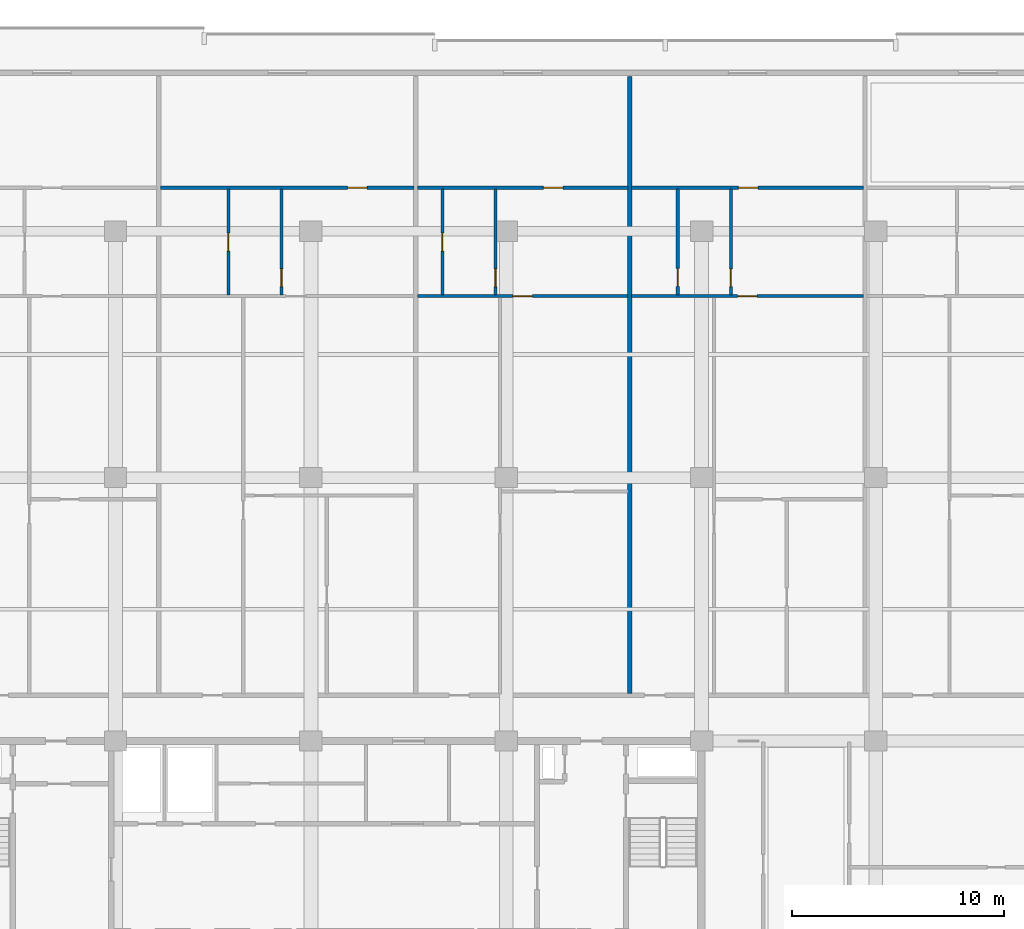
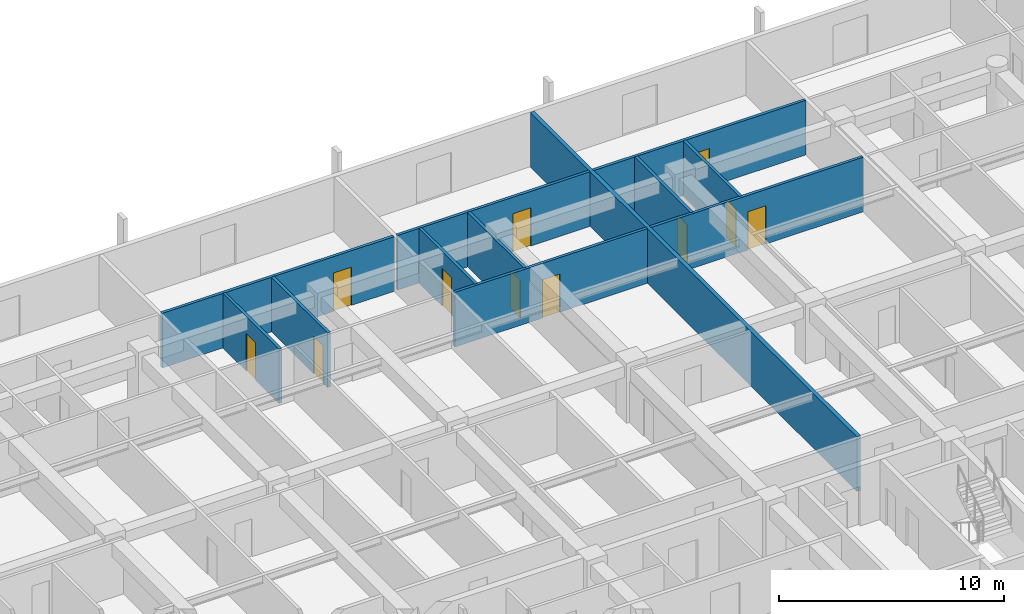
# One storey, part 15 of 24: 12 walls, 11 doors, 11 openings.
"""IFC4 building model written with IfcOpenShell, lengths in metres."""

import ifcopenshell
import ifcopenshell.guid

model = None  # the IFC model being written
_history = None  # IfcOwnerHistory: only IFC2X3 demands one
_inside = {}  # id of a spatial element -> (the spatial element, [elements in it])
_under = {}  # id of a project, library or spatial element -> (it, [spatial elements below it])
_declared = {}  # id of a project -> (the project, [libraries it declares])
_typed = {}  # id of a type object -> (the type object, [elements of that type])
_made_of = {}  # id of a material, layer set ... -> (it, [elements and type objects made of it])


def new_model(schema):
    """Start an empty IFC model of exactly this schema.

    Asked for "IFC4X3", IfcOpenShell would pick the latest addendum, in which some entities
    have other attributes; the version numbers below select the first issue.
    IFC2X3 requires an IfcOwnerHistory on every rooted entity: one is made here for all.
    """
    global model, _history
    if schema == "IFC4X3":
        model = ifcopenshell.file(schema_version=(4, 3, 0, 0))
    else:
        model = ifcopenshell.file(schema=schema)
    _inside.clear()
    _under.clear()
    _declared.clear()
    _typed.clear()
    _made_of.clear()
    _history = None
    if model.schema == "IFC2X3":
        org = make("IfcOrganization", Name="unknown")
        user = make(
            "IfcPersonAndOrganization",
            ThePerson=make("IfcPerson", FamilyName="unknown"),
            TheOrganization=org,
        )
        app = make(
            "IfcApplication",
            ApplicationDeveloper=org,
            Version="unknown",
            ApplicationFullName="unknown",
            ApplicationIdentifier="unknown",
        )
        _history = make(
            "IfcOwnerHistory",
            OwningUser=user,
            OwningApplication=app,
            ChangeAction="ADDED",
            CreationDate=0,
        )
    return model


def make(cls, **values):
    """One entity of the class cls with the attributes given. An attribute that is None is left unset."""
    return model.create_entity(
        cls, **{name: value for name, value in values.items() if value is not None}
    )


def rooted(cls, **values):
    """An entity with a GlobalId (a new one), such as an element, a storey or a relation."""
    return make(cls, GlobalId=ifcopenshell.guid.new(), OwnerHistory=_history, **values)


def si_unit(unit_type, name, prefix=None):
    """IfcSIUnit, for example si_unit("LENGTHUNIT", "METRE", prefix="MILLI")."""
    return make("IfcSIUnit", UnitType=unit_type, Prefix=prefix, Name=name)


def assignment(units):
    """IfcUnitAssignment: the units of a project."""
    return None if units is None else make("IfcUnitAssignment", Units=units)


def point(xyz):
    """IfcCartesianPoint."""
    return None if xyz is None else make("IfcCartesianPoint", Coordinates=xyz)


def direction(xyz):
    """IfcDirection."""
    return None if xyz is None else make("IfcDirection", DirectionRatios=xyz)


def frame(location, z_axis=None, x_axis=None):
    """IfcAxis2Placement3D, a coordinate frame: its origin and axes. An axis left out is left unset."""
    return make(
        "IfcAxis2Placement3D",
        Location=point(location),
        Axis=direction(z_axis),
        RefDirection=direction(x_axis),
    )


def frame_2d(location, x_axis=None):
    """IfcAxis2Placement2D, a coordinate frame in the plane: its origin and x axis."""
    return make(
        "IfcAxis2Placement2D", Location=point(location), RefDirection=direction(x_axis)
    )


def origin():
    """The frame at (0, 0, 0) with its axes left unset."""
    return frame((0.0, 0.0, 0.0))


def place(relative_to, where):
    """IfcLocalPlacement: puts the frame where relative to a parent placement (None: the world)."""
    return make(
        "IfcLocalPlacement", PlacementRelTo=relative_to, RelativePlacement=where
    )


def context(
    kind, dimensions, precision=None, world=None, true_north=None, identifier=None
):
    """IfcGeometricRepresentationContext, for example the 3D "Model" context."""
    return make(
        "IfcGeometricRepresentationContext",
        ContextIdentifier=identifier,
        ContextType=kind,
        CoordinateSpaceDimension=dimensions,
        Precision=precision,
        WorldCoordinateSystem=world,
        TrueNorth=true_north,
    )


def subcontext(parent, identifier, kind, view, scale=None):
    """IfcGeometricRepresentationSubContext, for example "Body" below "Model"."""
    return make(
        "IfcGeometricRepresentationSubContext",
        ContextIdentifier=identifier,
        ContextType=kind,
        ParentContext=parent,
        TargetScale=scale,
        TargetView=view,
    )


def project(units=None, contexts=None):
    """IfcProject with its units and contexts."""
    return rooted(
        "IfcProject",
        Name="project",
        RepresentationContexts=contexts,
        UnitsInContext=assignment(units),
    )


def spatial(cls, under=None, at=None, **own):
    """A site, building, storey or space (cls), placed at a placement, below another one or the project."""
    s = rooted(cls, ObjectPlacement=at, **own)
    if under is not None:
        _under.setdefault(under.id(), (under, []))[1].append(s)
    return s


def profile(cls, at=None, kind="AREA", **sizes):
    """A parametric profile (cls). Its sizes go by their IFC names, for example OverallWidth=200.0."""
    return make(cls, ProfileType=kind, Position=at, **sizes)


def rectangle(**sizes):
    """IfcRectangleProfileDef."""
    return profile("IfcRectangleProfileDef", **sizes)


def extrude(swept, where, along, depth):
    """IfcExtrudedAreaSolid: the profile swept, set in the frame where, extruded along a direction by depth."""
    return make(
        "IfcExtrudedAreaSolid",
        SweptArea=swept,
        Position=where,
        ExtrudedDirection=direction(along),
        Depth=depth,
    )


def shape(context_of_items, identifier, shape_type, items):
    """IfcShapeRepresentation: the items that make up one representation, for example the "Body"."""
    return make(
        "IfcShapeRepresentation",
        ContextOfItems=context_of_items,
        RepresentationIdentifier=identifier,
        RepresentationType=shape_type,
        Items=items,
    )


def material(Name=None, Category=None):
    """IfcMaterial."""
    return make("IfcMaterial", Name=Name, Category=Category)


def layer(
    of_material, thickness, ventilated=None, Name=None, Category=None, Priority=None
):
    """IfcMaterialLayer: one layer of a wall or slab, of a material (None: an air gap)."""
    return make(
        "IfcMaterialLayer",
        Material=of_material,
        LayerThickness=thickness,
        IsVentilated=ventilated,
        Name=Name,
        Category=Category,
        Priority=Priority,
    )


def layer_set(layers, Name=None):
    """IfcMaterialLayerSet."""
    return make("IfcMaterialLayerSet", MaterialLayers=layers, LayerSetName=Name)


def made_of(thing, what):
    """Note that an element or type object is made of a material, layer set ...; save() writes the relation."""
    if what is not None:
        _made_of.setdefault(what.id(), (what, []))[1].append(thing)
    return thing


def type_object(cls, material=None, **own):
    """A type object (cls), such as IfcWallType, which elements share."""
    return made_of(rooted(cls, **own), material)


def element(
    cls,
    number,
    at=None,
    inside=None,
    cuts=None,
    type_object=None,
    material=None,
    context=None,
    identifier="Body",
    shape_type=None,
    held_by="IfcProductDefinitionShape",
    body=None,
    shapes=None,
    **own,
):
    """One element of the class cls, such as IfcWall. Its Tag is "e" and its number.

    at: its placement. inside: the storey or other place that contains it. cuts: it is an
    opening in that element (IfcRelVoidsElement). A single representation is given by context,
    identifier, shape_type and body (its items); several are given by shapes. held_by: the class
    of the entity that holds the representations. save() writes the other relations.
    """
    e = rooted(cls, Tag="e%d" % number, ObjectPlacement=at, **own)
    if body is not None:
        shapes = [shape(context, identifier, shape_type, body)]
    if shapes is not None:
        e.Representation = make(held_by, Representations=shapes)
    if inside is not None:
        _inside.setdefault(inside.id(), (inside, []))[1].append(e)
    if cuts is not None:
        rooted(
            "IfcRelVoidsElement", RelatingBuildingElement=cuts, RelatedOpeningElement=e
        )
    if type_object is not None:
        _typed.setdefault(type_object.id(), (type_object, []))[1].append(e)
    return made_of(e, material)


def fill(opening, filler):
    """IfcRelFillsElement: the door or window that sits in an opening."""
    return rooted(
        "IfcRelFillsElement",
        RelatingOpeningElement=opening,
        RelatedBuildingElement=filler,
    )


def aggregate(whole, parts):
    """IfcRelAggregates: a whole, such as a stair, and the parts it consists of."""
    return rooted("IfcRelAggregates", RelatingObject=whole, RelatedObjects=parts)


def save(model, path):
    """Write the relations noted so far, then the file.

    IfcRelAggregates (storeys below a building ...), IfcRelContainedInSpatialStructure (elements
    in a storey), IfcRelDefinesByType, IfcRelAssociatesMaterial and IfcRelDeclares: one each for
    every whole, place, type object, material and project.
    """
    for whole, parts in _under.values():
        aggregate(whole, parts)
    for where, things in _inside.values():
        rooted(
            "IfcRelContainedInSpatialStructure",
            RelatedElements=things,
            RelatingStructure=where,
        )
    for kind, things in _typed.values():
        rooted("IfcRelDefinesByType", RelatedObjects=things, RelatingType=kind)
    for what, things in _made_of.values():
        rooted("IfcRelAssociatesMaterial", RelatedObjects=things, RelatingMaterial=what)
    for by, libraries in _declared.values():
        rooted("IfcRelDeclares", RelatingContext=by, RelatedDefinitions=libraries)
    model.write(path)


model = new_model("IFC4")

# Units and contexts
model_context = context("Model", 3, precision=1e-05, world=origin(), true_north=direction((0.0, 1.0)))
body_context = subcontext(model_context, "Body", "Model", "MODEL_VIEW")
ifc_project = project(units=[si_unit("LENGTHUNIT", "METRE"), si_unit("AREAUNIT", "SQUARE_METRE"), si_unit("VOLUMEUNIT", "CUBIC_METRE"), si_unit("PLANEANGLEUNIT", "RADIAN"), si_unit("MASSUNIT", "GRAM", prefix="KILO")], contexts=[model_context])

# Site, building, storey
site_placement = place(None, origin())
site = spatial("IfcSite", under=ifc_project, at=site_placement, CompositionType="ELEMENT")
building_placement = place(site_placement, origin())
building = spatial("IfcBuilding", under=site, at=building_placement, Name="Korimba Cascade Residences", CompositionType="ELEMENT")
storey_placement = place(building_placement, frame((0.0, 0.0, 24.0)))
storey = spatial("IfcBuildingStorey", under=building, at=storey_placement, Name="L05", CompositionType="ELEMENT", Elevation=24.0)

# Wall
ifc_material_1 = material(Name="Precast concrete C40/50", Category="concrete")
ifc_layer_1 = layer(ifc_material_1, 0.199951171875)
ifc_layer_set_1 = layer_set([ifc_layer_1], Name="Precast concrete C40/50")
wall_type_1 = type_object("IfcWallType", Name="WAL-IT-200", PredefinedType="PARTITIONING", material=ifc_layer_set_1)
wall_1_placement = place(storey_placement, frame((108.712890625, 69.429931640625, 0.0), z_axis=(0.0, 0.0, 1.0), x_axis=(0.0, 1.0, 0.0)))
element("IfcWall", 1, at=wall_1_placement, inside=storey, type_object=wall_type_1, Name="L05 Partition Wall WAL-L05-T1-DEM-5", PredefinedType="PARTITIONING", context=body_context, shape_type="SweptSolid", body=[
    extrude(rectangle(XDim=29.070068359375, YDim=0.199951171875, at=frame_2d((14.53515625, 0.0))), origin(), (0.0, 0.0, 1.0), 2.969970703125),
])

# Wall, opening, door
ifc_material_2 = material(Name="Insulated Acoustic Stud Partition", Category="gypsum")
ifc_layer_2 = layer(ifc_material_2, 0.14990234375)
ifc_layer_set_2 = layer_set([ifc_layer_2], Name="Insulated Acoustic Stud Partition")
wall_type_2 = type_object("IfcWallType", Name="WAL-PART-150", PredefinedType="PARTITIONING", material=ifc_layer_set_2)
wall_2_placement = place(storey_placement, frame((89.81494140625, 88.18994140625, 0.0), z_axis=(0.0, 0.0, 1.0), x_axis=(0.0, 1.0, 0.0)))
wall_2 = element("IfcWall", 2, at=wall_2_placement, inside=storey, type_object=wall_type_2, Name="L05 Partition Wall WAL-L05-T1-U04-CLS", PredefinedType="PARTITIONING", context=body_context, shape_type="SweptSolid", body=[
    extrude(rectangle(XDim=5.0, YDim=0.14990234375, at=frame_2d((2.5, 0.0))), origin(), (0.0, 0.0, 1.0), 2.969970703125),
])
opening_1_placement = place(wall_2_placement, frame((2.080078125, 0.0, 0.0)))
opening_1 = element("IfcOpeningElement", 3, at=opening_1_placement, cuts=wall_2, Name="Opening D-BT1", PredefinedType="OPENING", context=body_context, shape_type="SweptSolid", body=[
    extrude(rectangle(XDim=0.840087890625, YDim=2.0400390625, at=frame_2d((0.419921875, 1.02001953125))), frame((0.0, 0.0849609375, 0.0), z_axis=(0.0, -1.0, 0.0), x_axis=(1.0, 0.0, 0.0)), (0.0, 0.0, 1.0), 0.169921875),
])
ifc_material_3 = material(Name="Moisture-Resistant Bathroom Timber Door", Category="wood")
door_type_1 = type_object("IfcDoorType", Name="DR-INT-850", OperationType="NOTDEFINED", PredefinedType="DOOR", material=ifc_material_3)
door_1_placement = place(opening_1_placement, origin())
door_1 = element("IfcDoor", 4, at=door_1_placement, inside=storey, type_object=door_type_1, Name="L05-T1-U04 Closet Door", OperationType="SINGLE_SWING_LEFT", OverallHeight=2.0400390625, OverallWidth=0.840087890625, PredefinedType="DOOR", context=body_context, shape_type="SweptSolid", body=[
    extrude(rectangle(XDim=0.840087890625, YDim=2.0400390625, at=frame_2d((0.419921875, 1.02001953125))), frame((0.0, 0.02490234375, 0.0), z_axis=(0.0, -1.0, 0.0), x_axis=(1.0, 0.0, 0.0)), (0.0, 0.0, 1.0), 0.050048828125),
])
fill(opening_1, door_1)

wall_3_placement = place(storey_placement, frame((92.31494140625, 88.18994140625, 0.0), z_axis=(0.0, 0.0, 1.0), x_axis=(0.0, 1.0, 0.0)))
wall_3 = element("IfcWall", 5, at=wall_3_placement, inside=storey, type_object=wall_type_2, Name="L05 Partition Wall WAL-L05-T1-U04-BM", PredefinedType="PARTITIONING", context=body_context, shape_type="SweptSolid", body=[
    extrude(rectangle(XDim=5.0, YDim=0.14990234375, at=frame_2d((2.5, 0.0))), origin(), (0.0, 0.0, 1.0), 2.969970703125),
])
opening_2_placement = place(wall_3_placement, frame((0.39990234375, 0.0, 0.0)))
opening_2 = element("IfcOpeningElement", 6, at=opening_2_placement, cuts=wall_3, Name="Opening D-BT1", PredefinedType="OPENING", context=body_context, shape_type="SweptSolid", body=[
    extrude(rectangle(XDim=0.840087890625, YDim=2.0400390625, at=frame_2d((0.419921875, 1.02001953125))), frame((0.0, 0.0849609375, 0.0), z_axis=(0.0, -1.0, 0.0), x_axis=(1.0, 0.0, 0.0)), (0.0, 0.0, 1.0), 0.169921875),
])
door_2_placement = place(opening_2_placement, origin())
door_2 = element("IfcDoor", 7, at=door_2_placement, inside=storey, type_object=door_type_1, Name="L05-T1-U04 Bathroom Door", OperationType="SINGLE_SWING_RIGHT", OverallHeight=2.0400390625, OverallWidth=0.840087890625, PredefinedType="DOOR", context=body_context, shape_type="SweptSolid", body=[
    extrude(rectangle(XDim=0.840087890625, YDim=2.0400390625, at=frame_2d((0.419921875, 1.02001953125))), frame((0.0, 0.02490234375, 0.0), z_axis=(0.0, -1.0, 0.0), x_axis=(1.0, 0.0, 0.0)), (0.0, 0.0, 1.0), 0.050048828125),
])
fill(opening_2, door_2)

wall_4_placement = place(storey_placement, frame((86.62158203125, 93.25, 0.0), z_axis=(0.0, 0.0, 1.0), x_axis=(1.0, 0.0, 0.0)))
wall_4 = element("IfcWall", 8, at=wall_4_placement, inside=storey, type_object=wall_type_2, Name="L05 Partition Wall WAL-L05-T1-U04-HZ", PredefinedType="PARTITIONING", context=body_context, shape_type="SweptSolid", body=[
    extrude(rectangle(XDim=11.933349609375, YDim=0.14990234375, at=frame_2d((5.966796875, 0.0))), origin(), (0.0, 0.0, 1.0), 2.969970703125),
])
opening_3_placement = place(wall_4_placement, frame((8.8115234375, 0.0, 0.0)))
opening_3 = element("IfcOpeningElement", 9, at=opening_3_placement, cuts=wall_4, Name="Opening D-IN1", PredefinedType="OPENING", context=body_context, shape_type="SweptSolid", body=[
    extrude(rectangle(XDim=0.919921875, YDim=2.080078125, at=frame_2d((0.4599609375, 1.0400390625))), frame((0.0, 0.0849609375, 0.0), z_axis=(0.0, -1.0, 0.0), x_axis=(1.0, 0.0, 0.0)), (0.0, 0.0, 1.0), 0.169921875),
])
ifc_material_4 = material(Name="Acoustic Timber Living Door", Category="wood")
door_type_2 = type_object("IfcDoorType", Name="DR-INT-920", OperationType="NOTDEFINED", PredefinedType="DOOR", material=ifc_material_4)
door_3_placement = place(opening_3_placement, origin())
door_3 = element("IfcDoor", 10, at=door_3_placement, inside=storey, type_object=door_type_2, Name="L05-T1-U04 Studio Door", OperationType="SINGLE_SWING_RIGHT", OverallHeight=2.080078125, OverallWidth=0.919921875, PredefinedType="DOOR", context=body_context, shape_type="SweptSolid", body=[
    extrude(rectangle(XDim=0.919921875, YDim=2.080078125, at=frame_2d((0.4599609375, 1.0400390625))), frame((0.0, 0.02490234375, 0.0), z_axis=(0.0, -1.0, 0.0), x_axis=(1.0, 0.0, 0.0)), (0.0, 0.0, 1.0), 0.050048828125),
])
fill(opening_3, door_3)

wall_5_placement = place(storey_placement, frame((99.892822265625, 88.18994140625, 0.0), z_axis=(0.0, 0.0, 1.0), x_axis=(0.0, 1.0, 0.0)))
wall_5 = element("IfcWall", 11, at=wall_5_placement, inside=storey, type_object=wall_type_2, Name="L05 Partition Wall WAL-L05-T1-U05-CLS", PredefinedType="PARTITIONING", context=body_context, shape_type="SweptSolid", body=[
    extrude(rectangle(XDim=5.0, YDim=0.14990234375, at=frame_2d((2.5, 0.0))), origin(), (0.0, 0.0, 1.0), 2.969970703125),
])
opening_4_placement = place(wall_5_placement, frame((2.080078125, 0.0, 0.0)))
opening_4 = element("IfcOpeningElement", 12, at=opening_4_placement, cuts=wall_5, Name="Opening D-BT1", PredefinedType="OPENING", context=body_context, shape_type="SweptSolid", body=[
    extrude(rectangle(XDim=0.840087890625, YDim=2.0400390625, at=frame_2d((0.419921875, 1.02001953125))), frame((0.0, 0.0849609375, 0.0), z_axis=(0.0, -1.0, 0.0), x_axis=(1.0, 0.0, 0.0)), (0.0, 0.0, 1.0), 0.169921875),
])
door_4_placement = place(opening_4_placement, origin())
door_4 = element("IfcDoor", 13, at=door_4_placement, inside=storey, type_object=door_type_1, Name="L05-T1-U05 Closet Door", OperationType="SINGLE_SWING_LEFT", OverallHeight=2.0400390625, OverallWidth=0.840087890625, PredefinedType="DOOR", context=body_context, shape_type="SweptSolid", body=[
    extrude(rectangle(XDim=0.840087890625, YDim=2.0400390625, at=frame_2d((0.419921875, 1.02001953125))), frame((0.0, 0.02490234375, 0.0), z_axis=(0.0, -1.0, 0.0), x_axis=(1.0, 0.0, 0.0)), (0.0, 0.0, 1.0), 0.050048828125),
])
fill(opening_4, door_4)

wall_6_placement = place(storey_placement, frame((102.392822265625, 88.18994140625, 0.0), z_axis=(0.0, 0.0, 1.0), x_axis=(0.0, 1.0, 0.0)))
wall_6 = element("IfcWall", 14, at=wall_6_placement, inside=storey, type_object=wall_type_2, Name="L05 Partition Wall WAL-L05-T1-U05-BM", PredefinedType="PARTITIONING", context=body_context, shape_type="SweptSolid", body=[
    extrude(rectangle(XDim=5.0, YDim=0.14990234375, at=frame_2d((2.5, 0.0))), origin(), (0.0, 0.0, 1.0), 2.969970703125),
])
opening_5_placement = place(wall_6_placement, frame((0.39990234375, 0.0, 0.0)))
opening_5 = element("IfcOpeningElement", 15, at=opening_5_placement, cuts=wall_6, Name="Opening D-BT1", PredefinedType="OPENING", context=body_context, shape_type="SweptSolid", body=[
    extrude(rectangle(XDim=0.840087890625, YDim=2.0400390625, at=frame_2d((0.419921875, 1.02001953125))), frame((0.0, 0.0849609375, 0.0), z_axis=(0.0, -1.0, 0.0), x_axis=(1.0, 0.0, 0.0)), (0.0, 0.0, 1.0), 0.169921875),
])
door_5_placement = place(opening_5_placement, origin())
door_5 = element("IfcDoor", 16, at=door_5_placement, inside=storey, type_object=door_type_1, Name="L05-T1-U05 Bathroom Door", OperationType="SINGLE_SWING_RIGHT", OverallHeight=2.0400390625, OverallWidth=0.840087890625, PredefinedType="DOOR", context=body_context, shape_type="SweptSolid", body=[
    extrude(rectangle(XDim=0.840087890625, YDim=2.0400390625, at=frame_2d((0.419921875, 1.02001953125))), frame((0.0, 0.02490234375, 0.0), z_axis=(0.0, -1.0, 0.0), x_axis=(1.0, 0.0, 0.0)), (0.0, 0.0, 1.0), 0.050048828125),
])
fill(opening_5, door_5)

wall_7_placement = place(storey_placement, frame((98.715087890625, 88.14990234375, 0.0), z_axis=(0.0, 0.0, 1.0), x_axis=(1.0, 0.0, 0.0)))
wall_7 = element("IfcWall", 17, at=wall_7_placement, inside=storey, type_object=wall_type_2, Name="L05 Partition Wall WAL-L05-T1-U05-MW", PredefinedType="PARTITIONING", context=body_context, shape_type="SweptSolid", body=[
    extrude(rectangle(XDim=9.917724609375, YDim=0.14990234375, at=frame_2d((4.958984375, 0.0))), origin(), (0.0, 0.0, 1.0), 2.969970703125),
])
opening_6_placement = place(wall_7_placement, frame((4.4990234375, 0.0, 0.0)))
opening_6 = element("IfcOpeningElement", 18, at=opening_6_placement, cuts=wall_7, Name="Opening D-IN1", PredefinedType="OPENING", context=body_context, shape_type="SweptSolid", body=[
    extrude(rectangle(XDim=0.919921875, YDim=2.080078125, at=frame_2d((0.4599609375, 1.0400390625))), frame((0.0, 0.0849609375, 0.0), z_axis=(0.0, -1.0, 0.0), x_axis=(1.0, 0.0, 0.0)), (0.0, 0.0, 1.0), 0.169921875),
])
door_6_placement = place(opening_6_placement, origin())
door_6 = element("IfcDoor", 19, at=door_6_placement, inside=storey, type_object=door_type_2, Name="L05-T1-U05 Studio Kitchen Door", OperationType="SINGLE_SWING_LEFT", OverallHeight=2.080078125, OverallWidth=0.919921875, PredefinedType="DOOR", context=body_context, shape_type="SweptSolid", body=[
    extrude(rectangle(XDim=0.919921875, YDim=2.080078125, at=frame_2d((0.4599609375, 1.0400390625))), frame((0.0, 0.02490234375, 0.0), z_axis=(0.0, -1.0, 0.0), x_axis=(1.0, 0.0, 0.0)), (0.0, 0.0, 1.0), 0.050048828125),
])
fill(opening_6, door_6)

wall_8_placement = place(storey_placement, frame((98.715087890625, 93.25, 0.0), z_axis=(0.0, 0.0, 1.0), x_axis=(1.0, 0.0, 0.0)))
wall_8 = element("IfcWall", 20, at=wall_8_placement, inside=storey, type_object=wall_type_2, Name="L05 Partition Wall WAL-L05-T1-U05-HZ", PredefinedType="PARTITIONING", context=body_context, shape_type="SweptSolid", body=[
    extrude(rectangle(XDim=9.917724609375, YDim=0.14990234375, at=frame_2d((4.958984375, 0.0))), origin(), (0.0, 0.0, 1.0), 2.969970703125),
])
opening_7_placement = place(wall_8_placement, frame((5.935546875, 0.0, 0.0)))
opening_7 = element("IfcOpeningElement", 21, at=opening_7_placement, cuts=wall_8, Name="Opening D-IN1", PredefinedType="OPENING", context=body_context, shape_type="SweptSolid", body=[
    extrude(rectangle(XDim=0.919921875, YDim=2.080078125, at=frame_2d((0.4599609375, 1.0400390625))), frame((0.0, 0.0849609375, 0.0), z_axis=(0.0, -1.0, 0.0), x_axis=(1.0, 0.0, 0.0)), (0.0, 0.0, 1.0), 0.169921875),
])
door_7_placement = place(opening_7_placement, origin())
door_7 = element("IfcDoor", 22, at=door_7_placement, inside=storey, type_object=door_type_2, Name="L05-T1-U05 Studio Door", OperationType="SINGLE_SWING_RIGHT", OverallHeight=2.080078125, OverallWidth=0.919921875, PredefinedType="DOOR", context=body_context, shape_type="SweptSolid", body=[
    extrude(rectangle(XDim=0.919921875, YDim=2.080078125, at=frame_2d((0.4599609375, 1.0400390625))), frame((0.0, 0.02490234375, 0.0), z_axis=(0.0, -1.0, 0.0), x_axis=(1.0, 0.0, 0.0)), (0.0, 0.0, 1.0), 0.050048828125),
])
fill(opening_7, door_7)

wall_9_placement = place(storey_placement, frame((110.978515625, 88.18994140625, 0.0), z_axis=(0.0, 0.0, 1.0), x_axis=(0.0, 1.0, 0.0)))
wall_9 = element("IfcWall", 23, at=wall_9_placement, inside=storey, type_object=wall_type_2, Name="L05 Partition Wall WAL-L05-T1-U06-CLS", PredefinedType="PARTITIONING", context=body_context, shape_type="SweptSolid", body=[
    extrude(rectangle(XDim=5.0, YDim=0.14990234375, at=frame_2d((2.5, 0.0))), origin(), (0.0, 0.0, 1.0), 2.969970703125),
])
opening_8_placement = place(wall_9_placement, frame((0.419189453125, 0.0, 0.0)))
opening_8 = element("IfcOpeningElement", 24, at=opening_8_placement, cuts=wall_9, Name="Opening D-BT1", PredefinedType="OPENING", context=body_context, shape_type="SweptSolid", body=[
    extrude(rectangle(XDim=0.840087890625, YDim=2.0400390625, at=frame_2d((0.419921875, 1.02001953125))), frame((0.0, 0.0849609375, 0.0), z_axis=(0.0, -1.0, 0.0), x_axis=(1.0, 0.0, 0.0)), (0.0, 0.0, 1.0), 0.169921875),
])
door_8_placement = place(opening_8_placement, origin())
door_8 = element("IfcDoor", 25, at=door_8_placement, inside=storey, type_object=door_type_1, Name="L05-T1-U06 Closet Door", OperationType="SINGLE_SWING_RIGHT", OverallHeight=2.0400390625, OverallWidth=0.840087890625, PredefinedType="DOOR", context=body_context, shape_type="SweptSolid", body=[
    extrude(rectangle(XDim=0.840087890625, YDim=2.0400390625, at=frame_2d((0.419921875, 1.02001953125))), frame((0.0, 0.02490234375, 0.0), z_axis=(0.0, -1.0, 0.0), x_axis=(1.0, 0.0, 0.0)), (0.0, 0.0, 1.0), 0.050048828125),
])
fill(opening_8, door_8)

wall_10_placement = place(storey_placement, frame((113.478515625, 88.18994140625, 0.0), z_axis=(0.0, 0.0, 1.0), x_axis=(0.0, 1.0, 0.0)))
wall_10 = element("IfcWall", 26, at=wall_10_placement, inside=storey, type_object=wall_type_2, Name="L05 Partition Wall WAL-L05-T1-U06-BM", PredefinedType="PARTITIONING", context=body_context, shape_type="SweptSolid", body=[
    extrude(rectangle(XDim=5.0, YDim=0.14990234375, at=frame_2d((2.5, 0.0))), origin(), (0.0, 0.0, 1.0), 2.969970703125),
])
opening_9_placement = place(wall_10_placement, frame((0.39990234375, 0.0, 0.0)))
opening_9 = element("IfcOpeningElement", 27, at=opening_9_placement, cuts=wall_10, Name="Opening D-BT1", PredefinedType="OPENING", context=body_context, shape_type="SweptSolid", body=[
    extrude(rectangle(XDim=0.840087890625, YDim=2.0400390625, at=frame_2d((0.419921875, 1.02001953125))), frame((0.0, 0.0849609375, 0.0), z_axis=(0.0, -1.0, 0.0), x_axis=(1.0, 0.0, 0.0)), (0.0, 0.0, 1.0), 0.169921875),
])
door_9_placement = place(opening_9_placement, origin())
door_9 = element("IfcDoor", 28, at=door_9_placement, inside=storey, type_object=door_type_1, Name="L05-T1-U06 Bathroom Door", OperationType="SINGLE_SWING_LEFT", OverallHeight=2.0400390625, OverallWidth=0.840087890625, PredefinedType="DOOR", context=body_context, shape_type="SweptSolid", body=[
    extrude(rectangle(XDim=0.840087890625, YDim=2.0400390625, at=frame_2d((0.419921875, 1.02001953125))), frame((0.0, 0.02490234375, 0.0), z_axis=(0.0, -1.0, 0.0), x_axis=(1.0, 0.0, 0.0)), (0.0, 0.0, 1.0), 0.050048828125),
])
fill(opening_9, door_9)

wall_11_placement = place(storey_placement, frame((108.79296875, 88.14990234375, 0.0), z_axis=(0.0, 0.0, 1.0), x_axis=(1.0, 0.0, 0.0)))
wall_11 = element("IfcWall", 29, at=wall_11_placement, inside=storey, type_object=wall_type_2, Name="L05 Partition Wall WAL-L05-T1-U06-MW", PredefinedType="PARTITIONING", context=body_context, shape_type="SweptSolid", body=[
    extrude(rectangle(XDim=10.925537109375, YDim=0.14990234375, at=frame_2d((5.462890625, 0.0))), origin(), (0.0, 0.0, 1.0), 2.969970703125),
])
opening_10_placement = place(wall_11_placement, frame((5.002685546875, 0.0, 0.0)))
opening_10 = element("IfcOpeningElement", 30, at=opening_10_placement, cuts=wall_11, Name="Opening D-IN1", PredefinedType="OPENING", context=body_context, shape_type="SweptSolid", body=[
    extrude(rectangle(XDim=0.919921875, YDim=2.080078125, at=frame_2d((0.4599609375, 1.0400390625))), frame((0.0, 0.0849609375, 0.0), z_axis=(0.0, -1.0, 0.0), x_axis=(1.0, 0.0, 0.0)), (0.0, 0.0, 1.0), 0.169921875),
])
door_10_placement = place(opening_10_placement, origin())
door_10 = element("IfcDoor", 31, at=door_10_placement, inside=storey, type_object=door_type_2, Name="L05-T1-U06 Studio Kitchen Door", OperationType="SINGLE_SWING_RIGHT", OverallHeight=2.080078125, OverallWidth=0.919921875, PredefinedType="DOOR", context=body_context, shape_type="SweptSolid", body=[
    extrude(rectangle(XDim=0.919921875, YDim=2.080078125, at=frame_2d((0.4599609375, 1.0400390625))), frame((0.0, 0.02490234375, 0.0), z_axis=(0.0, -1.0, 0.0), x_axis=(1.0, 0.0, 0.0)), (0.0, 0.0, 1.0), 0.050048828125),
])
fill(opening_10, door_10)

wall_12_placement = place(storey_placement, frame((108.79296875, 93.25, 0.0), z_axis=(0.0, 0.0, 1.0), x_axis=(1.0, 0.0, 0.0)))
wall_12 = element("IfcWall", 32, at=wall_12_placement, inside=storey, type_object=wall_type_2, Name="L05 Partition Wall WAL-L05-T1-U06-HZ", PredefinedType="PARTITIONING", context=body_context, shape_type="SweptSolid", body=[
    extrude(rectangle(XDim=10.925537109375, YDim=0.14990234375, at=frame_2d((5.462890625, 0.0))), origin(), (0.0, 0.0, 1.0), 2.969970703125),
])
opening_11_placement = place(wall_12_placement, frame((5.03125, 0.0, 0.0)))
opening_11 = element("IfcOpeningElement", 33, at=opening_11_placement, cuts=wall_12, Name="Opening D-IN1", PredefinedType="OPENING", context=body_context, shape_type="SweptSolid", body=[
    extrude(rectangle(XDim=0.919921875, YDim=2.080078125, at=frame_2d((0.4599609375, 1.0400390625))), frame((0.0, 0.0849609375, 0.0), z_axis=(0.0, -1.0, 0.0), x_axis=(1.0, 0.0, 0.0)), (0.0, 0.0, 1.0), 0.169921875),
])
door_11_placement = place(opening_11_placement, origin())
door_11 = element("IfcDoor", 34, at=door_11_placement, inside=storey, type_object=door_type_2, Name="L05-T1-U06 Studio Door", OperationType="SINGLE_SWING_LEFT", OverallHeight=2.080078125, OverallWidth=0.919921875, PredefinedType="DOOR", context=body_context, shape_type="SweptSolid", body=[
    extrude(rectangle(XDim=0.919921875, YDim=2.080078125, at=frame_2d((0.4599609375, 1.0400390625))), frame((0.0, 0.02490234375, 0.0), z_axis=(0.0, -1.0, 0.0), x_axis=(1.0, 0.0, 0.0)), (0.0, 0.0, 1.0), 0.050048828125),
])
fill(opening_11, door_11)

save(model, "model.ifc")
